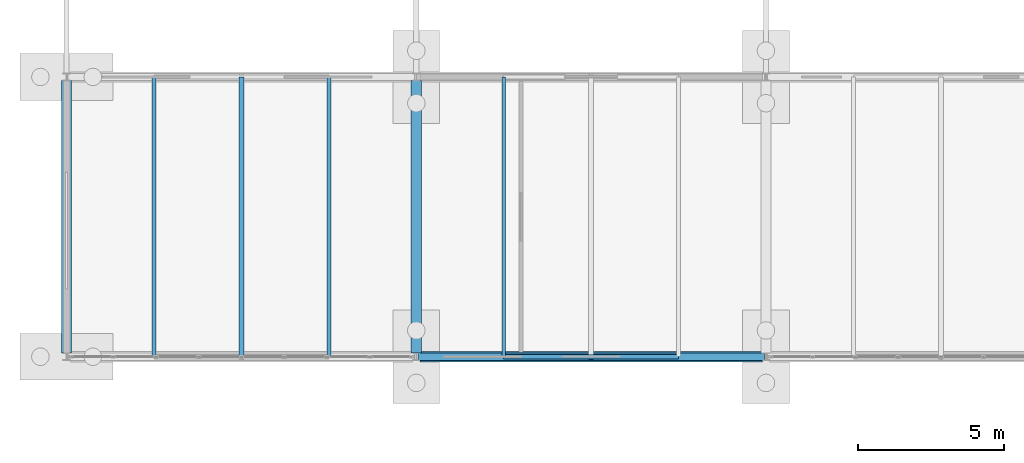
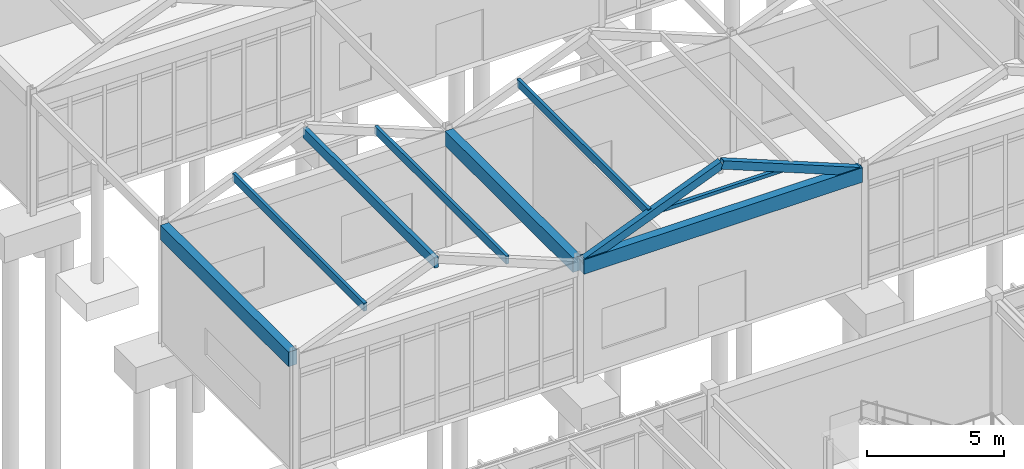
# One storey, part 38 of 188: 7 members, 3 beams.
"""IFC4 building model written with IfcOpenShell, lengths in metres."""

from ifc_helpers import new_model, si_unit, direction, frame, origin, origin_2d, place, context, subcontext, project, spatial, rectangle, hollow_rectangle, extrude, material, material_profile, profile_set, type_object, element, save


model = new_model("IFC4")

# Units and contexts
model_context = context("Model", 3, precision=1e-05, world=origin(), true_north=direction((0.0, 1.0)))
body_context = subcontext(model_context, "Body", "Model", "MODEL_VIEW")
ifc_project = project(units=[si_unit("LENGTHUNIT", "METRE"), si_unit("AREAUNIT", "SQUARE_METRE"), si_unit("VOLUMEUNIT", "CUBIC_METRE"), si_unit("PLANEANGLEUNIT", "RADIAN"), si_unit("MASSUNIT", "GRAM", prefix="KILO")], contexts=[model_context])

# Site, building, storey
site_placement = place(None, origin())
site = spatial("IfcSite", under=ifc_project, at=site_placement, CompositionType="ELEMENT")
building_placement = place(site_placement, origin())
building = spatial("IfcBuilding", under=site, at=building_placement, Name="Pandanus Reach Market Hall", CompositionType="ELEMENT")
storey_placement = place(building_placement, origin())
storey = spatial("IfcBuildingStorey", under=building, at=storey_placement, Name="L00", CompositionType="ELEMENT", Elevation=0.0)

# Beams
ifc_material_1 = material(Name="Concrete N40 (40 MPa)", Category="concrete")
ifc_material_profile_1 = material_profile(ifc_material_1, rectangle(XDim=0.35009765625, YDim=0.64990234375, at=origin_2d()), Name="RC350x650", Category="LoadBearing")
ifc_profile_set_1 = profile_set([ifc_material_profile_1], Name="Concrete N40 (40 MPa)")
beam_type = type_object("IfcBeamType", Name="BM-RC350-E", PredefinedType="SPANDREL", material=ifc_profile_set_1)
for number, where, z_axis, x_axis, name in (
    (1, (0.0, 38.52490234375, 4.8798828125), (0.0, 1.0, 0.0), (-1.0, 0.0, 0.0), "Framing beam BM-RC350-E L00.1152"),
    (2, (12.0, 38.52490234375, 4.8798828125), (0.0, 1.0, 0.0), (-1.0, 0.0, 0.0), "Framing beam BM-RC350-E L00.1153"),
):
    element("IfcBeam", number, at=place(storey_placement, frame(where, z_axis=z_axis, x_axis=x_axis)), inside=storey, type_object=beam_type, Name=name, PredefinedType="SPANDREL", context=body_context, shape_type="SweptSolid", body=[
        extrude(rectangle(XDim=0.35009765625, YDim=0.64990234375, at=origin_2d()), origin(), (0.0, 0.0, 1.0), 9.35009765625),
    ])
beam_placement = place(storey_placement, frame((12.125, 38.39990234375, 4.8798828125), z_axis=(1.0, 0.0, 0.0), x_axis=(0.0, 1.0, 0.0)))
element("IfcBeam", 3, at=beam_placement, inside=storey, type_object=beam_type, Name="Framing beam BM-RC350-E L00.1157", PredefinedType="SPANDREL", context=body_context, shape_type="SweptSolid", body=[
    extrude(rectangle(XDim=0.35009765625, YDim=0.64990234375, at=origin_2d()), origin(), (0.0, 0.0, 1.0), 11.75),
])

# Members
ifc_material_2 = material(Name="Steel Grade 350 (350 MPa)", Category="steel")
ifc_material_profile_2 = material_profile(ifc_material_2, hollow_rectangle(XDim=0.14990234375, YDim=0.14990234375, WallThickness=0.009033203125, at=origin_2d()), Name="150x150x9.0SHS", Category="LoadBearing")
ifc_profile_set_2 = profile_set([ifc_material_profile_2], Name="Steel Grade 350 (350 MPa)")
member_type_1 = type_object("IfcMemberType", Name="CL-SHS150-I", PredefinedType="COLLAR", material=ifc_profile_set_2)
member_1_placement = place(storey_placement, frame((15.0, 38.39990234375, 6.166748046875), z_axis=(1.0, 0.0, 0.0), x_axis=(0.0, 1.0, 0.0)))
element("IfcMember", 4, at=member_1_placement, inside=storey, type_object=member_type_1, Name="Gable collar tie R1.B2", PredefinedType="COLLAR", context=body_context, shape_type="SweptSolid", body=[
    extrude(hollow_rectangle(XDim=0.14990234375, YDim=0.14990234375, WallThickness=0.009033203125, at=origin_2d()), origin(), (0.0, 0.0, 1.0), 6.0),
])
ifc_material_3 = material(Name="Glulam timber GL17", Category="wood")
ifc_material_profile_3 = material_profile(ifc_material_3, rectangle(XDim=0.1298828125, YDim=0.360107421875, at=origin_2d()), Name="GL130x360", Category="LoadBearing")
ifc_profile_set_3 = profile_set([ifc_material_profile_3], Name="Glulam timber GL17")
member_type_2 = type_object("IfcMemberType", Name="PR-GL130-E", PredefinedType="PURLIN", material=ifc_profile_set_3)
for number, where, z_axis, x_axis, name in (
    (5, (3.0, 38.39990234375, 6.189697265625), (0.0, 1.0, 0.0), (-1.0, 0.0, 0.0), "Gable slope glulam purlin R1.B1W"),
    (6, (9.0, 38.39990234375, 6.189697265625), (0.0, 1.0, 0.0), (-1.0, 0.0, 0.0), "Gable slope glulam purlin R1.B1E"),
    (7, (15.0, 38.39990234375, 6.189697265625), (0.0, 1.0, 0.0), (-1.0, 0.0, 0.0), "Gable slope glulam purlin R1.B2W"),
):
    element("IfcMember", number, at=place(storey_placement, frame(where, z_axis=z_axis, x_axis=x_axis)), inside=storey, type_object=member_type_2, Name=name, PredefinedType="PURLIN", context=body_context, shape_type="SweptSolid", body=[
        extrude(rectangle(XDim=0.1298828125, YDim=0.360107421875, at=origin_2d()), origin(), (0.0, 0.0, 1.0), 9.60009765625),
    ])
ifc_material_profile_4 = material_profile(ifc_material_3, rectangle(XDim=0.175048828125, YDim=0.449951171875, at=origin_2d()), Name="GL175x450", Category="LoadBearing")
ifc_profile_set_4 = profile_set([ifc_material_profile_4], Name="Glulam timber GL17")
member_type_3 = type_object("IfcMemberType", Name="PR-GL175-E", PredefinedType="PURLIN", material=ifc_profile_set_4)
member_2_placement = place(storey_placement, frame((6.0, 38.39990234375, 7.11865234375), z_axis=(0.0, 1.0, 0.0), x_axis=(-1.0, 0.0, 0.0)))
element("IfcMember", 8, at=member_2_placement, inside=storey, type_object=member_type_3, Name="Gable ridge glulam purlin R1.B1", PredefinedType="PURLIN", context=body_context, shape_type="SweptSolid", body=[
    extrude(rectangle(XDim=0.175048828125, YDim=0.449951171875, at=origin_2d()), origin(), (0.0, 0.0, 1.0), 9.60009765625),
])
ifc_material_profile_5 = material_profile(ifc_material_2, hollow_rectangle(XDim=0.25, YDim=0.35009765625, WallThickness=0.012451171875, at=origin_2d()), Name="350x250x12.5RHS", Category="LoadBearing")
ifc_profile_set_5 = profile_set([ifc_material_profile_5], Name="Steel Grade 350 (350 MPa)")
member_type_4 = type_object("IfcMemberType", Name="RF-RHS350-E", PredefinedType="RAFTER", material=ifc_profile_set_5)
for number, where, z_axis, x_axis, name in (
    (9, (12.1201171875, 38.39990234375, 4.985107421875), (0.927845665363, 0.0, 0.372964369971), (0.0, 1.0, 0.0), "Steep gable rafter R1.B2W"),
    (10, (18.0, 38.39990234375, 7.3486328125), (0.927845665363, 0.0, -0.372964369971), (0.0, 1.0, 0.0), "Steep gable rafter R1.B2E"),
):
    element("IfcMember", number, at=place(storey_placement, frame(where, z_axis=z_axis, x_axis=x_axis)), inside=storey, type_object=member_type_4, Name=name, PredefinedType="RAFTER", context=body_context, shape_type="SweptSolid", body=[
        extrude(hollow_rectangle(XDim=0.25, YDim=0.35009765625, WallThickness=0.012451171875, at=origin_2d()), origin(), (0.0, 0.0, 1.0), 6.337158203125),
    ])

save(model, "model.ifc")
